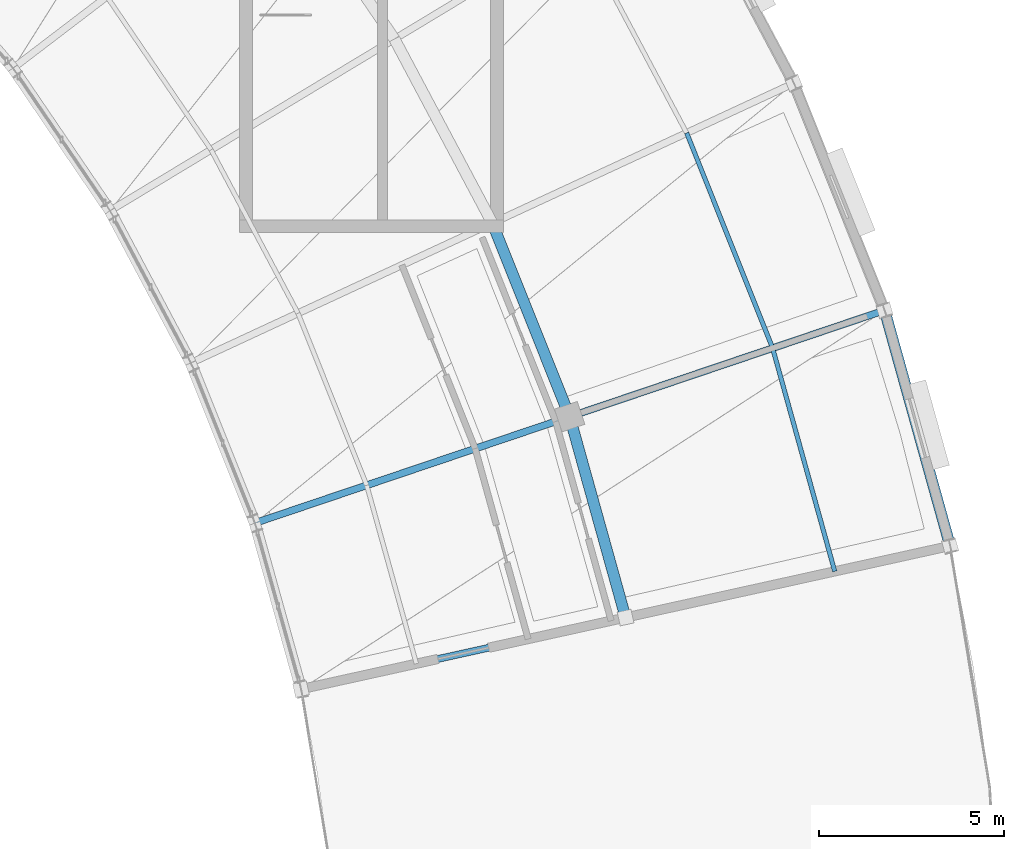
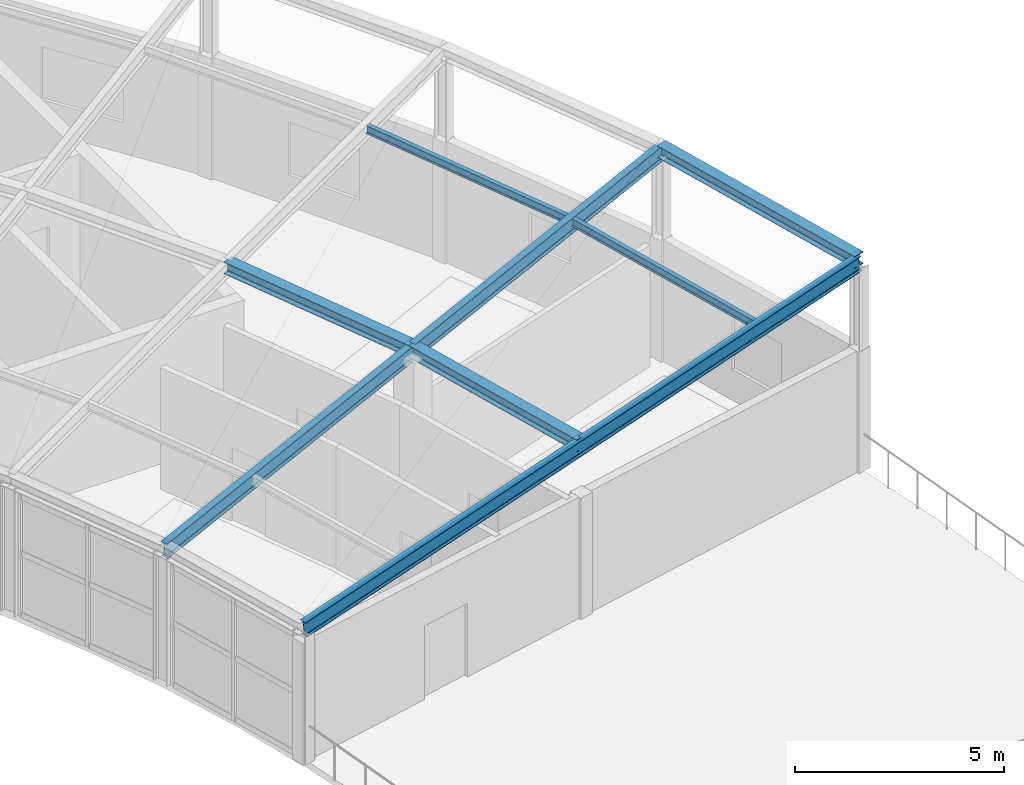
# One storey, part 13 of 36: 5 beams, 2 members.
"""IFC4 building model written with IfcOpenShell, lengths in metres."""

from ifc_helpers import new_model, si_unit, direction, frame, origin, origin_2d, place, context, subcontext, project, spatial, i_section, extrude, material, material_profile, profile_set, type_object, element, save


model = new_model("IFC4")

# Units and contexts
model_context = context("Model", 3, precision=1e-05, world=origin(), true_north=direction((0.0, 1.0)))
body_context = subcontext(model_context, "Body", "Model", "MODEL_VIEW")
ifc_project = project(units=[si_unit("LENGTHUNIT", "METRE"), si_unit("AREAUNIT", "SQUARE_METRE"), si_unit("VOLUMEUNIT", "CUBIC_METRE"), si_unit("PLANEANGLEUNIT", "RADIAN"), si_unit("MASSUNIT", "GRAM", prefix="KILO")], contexts=[model_context])

# Site, building, storey
site_placement = place(None, origin())
site = spatial("IfcSite", under=ifc_project, at=site_placement, CompositionType="ELEMENT")
building_placement = place(site_placement, origin())
building = spatial("IfcBuilding", under=site, at=building_placement, Name="Tarnveldt Headland Concert Hall", CompositionType="ELEMENT")
storey_placement = place(building_placement, frame((0.0, 0.0, 22.800048828125)))
storey = spatial("IfcBuildingStorey", under=building, at=storey_placement, Name="L05", CompositionType="ELEMENT", Elevation=22.800048828125)

# Members
ifc_material = material(Name="Steel S355", Category="steel")
ifc_material_profile_1 = material_profile(ifc_material, i_section(OverallWidth=0.1201171875, OverallDepth=0.239990234375, WebThickness=0.006103515625, FlangeThickness=0.009765625, FilletRadius=0.014892578125, at=origin_2d()), Name="IPE240", Category="steel")
ifc_profile_set_1 = profile_set([ifc_material_profile_1], Name="Steel S355")
member_type = type_object("IfcMemberType", Name="PR-IPE240", PredefinedType="PURLIN", material=ifc_profile_set_1)
member_1_placement = place(storey_placement, frame((173.94189453125, 72.45556640625, 5.625732421875), z_axis=(-0.268161647972, 0.963373930806, 0.0), x_axis=(-0.963373930806, -0.268161647972, 0.0)))
element("IfcMember", 1, at=member_1_placement, inside=storey, type_object=member_type, Name="Crescent roof purlin 11-57", PredefinedType="PURLIN", context=body_context, shape_type="SweptSolid", body=[
    extrude(i_section(OverallWidth=0.1201171875, OverallDepth=0.239990234375, WebThickness=0.006103515625, FlangeThickness=0.009765625, FilletRadius=0.014892578125, at=origin_2d()), origin(), (0.0, 0.0, 1.0), 6.273681640625),
])
member_2_placement = place(storey_placement, frame((172.259521484375, 78.49951171875, 5.625732421875), z_axis=(-0.371001508527, 0.928632263423, 0.0), x_axis=(-0.928632263423, -0.371001508527, 0.0)))
element("IfcMember", 2, at=member_2_placement, inside=storey, type_object=member_type, Name="Crescent roof purlin 12-57", PredefinedType="PURLIN", context=body_context, shape_type="SweptSolid", body=[
    extrude(i_section(OverallWidth=0.1201171875, OverallDepth=0.239990234375, WebThickness=0.006103515625, FlangeThickness=0.009765625, FilletRadius=0.014892578125, at=origin_2d()), origin(), (0.0, 0.0, 1.0), 6.27392578125),
])

# Beams
ifc_material_profile_2 = material_profile(ifc_material, i_section(OverallWidth=0.300048828125, OverallDepth=0.35009765625, WebThickness=0.010009765625, FlangeThickness=0.017578125, FilletRadius=0.027099609375, at=origin_2d()), Name="HEA360", Category="steel")
ifc_profile_set_2 = profile_set([ifc_material_profile_2], Name="Steel S355")
beam_type_1 = type_object("IfcBeamType", Name="SB-HEA360", PredefinedType="SPANDREL", material=ifc_profile_set_2)
beam_1_placement = place(storey_placement, frame((168.2783203125, 71.20556640625, 4.954833984375), z_axis=(-0.268168064355, 0.963372144739, 0.0), x_axis=(-0.963372144739, -0.268168064355, 0.0)))
element("IfcBeam", 3, at=beam_1_placement, inside=storey, type_object=beam_type_1, Name="Crescent L05 MD eaves girder 11", PredefinedType="SPANDREL", context=body_context, shape_type="SweptSolid", body=[
    extrude(i_section(OverallWidth=0.300048828125, OverallDepth=0.35009765625, WebThickness=0.010009765625, FlangeThickness=0.017578125, FilletRadius=0.027099609375, at=origin_2d()), origin(), (0.0, 0.0, 1.0), 5.64453125),
])
beam_2_placement = place(storey_placement, frame((177.06689453125, 73.14501953125, 6.054931640625), z_axis=(-0.268174408275, 0.963370378798, 0.0), x_axis=(-0.963370378798, -0.268174408275, 0.0)))
element("IfcBeam", 4, at=beam_2_placement, inside=storey, type_object=beam_type_1, Name="Crescent L05 OUT eaves girder 11", PredefinedType="SPANDREL", context=body_context, shape_type="SweptSolid", body=[
    extrude(i_section(OverallWidth=0.300048828125, OverallDepth=0.35009765625, WebThickness=0.010009765625, FlangeThickness=0.017578125, FilletRadius=0.027099609375, at=origin_2d()), origin(), (0.0, 0.0, 1.0), 6.62109375),
])
beam_3_placement = place(storey_placement, frame((166.7646484375, 76.643310546875, 4.954833984375), z_axis=(-0.371032684737, 0.928619807487, 0.0), x_axis=(-0.928619807487, -0.371032684737, 0.0)))
element("IfcBeam", 5, at=beam_3_placement, inside=storey, type_object=beam_type_1, Name="Crescent L05 MD eaves girder 12", PredefinedType="SPANDREL", context=body_context, shape_type="SweptSolid", body=[
    extrude(i_section(OverallWidth=0.300048828125, OverallDepth=0.35009765625, WebThickness=0.010009765625, FlangeThickness=0.017578125, FilletRadius=0.027099609375, at=origin_2d()), origin(), (0.0, 0.0, 1.0), 5.644287109375),
])
ifc_material_profile_3 = material_profile(ifc_material, i_section(OverallWidth=0.18994140625, OverallDepth=0.449951171875, WebThickness=0.009521484375, FlangeThickness=0.0146484375, FilletRadius=0.02099609375, at=origin_2d()), Name="IPE450", Category="steel")
ifc_profile_set_3 = profile_set([ifc_material_profile_3], Name="Steel S355")
beam_type_2 = type_object("IfcBeamType", Name="SB-IPE450", PredefinedType="BEAM", material=ifc_profile_set_3)
for number, where, z_axis, x_axis, name in (
    (6, (159.48974609375, 69.26611328125, 3.804931640625), (0.969292565128, 0.213902442841, 0.121316396805), (-0.215494106313, 0.976505140869, 0.0), "Crescent sloped roof rafter 11"),
    (7, (158.238037109375, 73.7626953125, 3.804931640625), (0.940401649601, 0.317690160711, 0.121316524904), (-0.32005412111, 0.947399260903, 0.0), "Crescent sloped roof rafter 12"),
):
    element("IfcBeam", number, at=place(storey_placement, frame(where, z_axis=z_axis, x_axis=x_axis)), inside=storey, type_object=beam_type_2, Name=name, PredefinedType="BEAM", context=body_context, shape_type="SweptSolid", body=[
        extrude(i_section(OverallWidth=0.18994140625, OverallDepth=0.449951171875, WebThickness=0.009521484375, FlangeThickness=0.0146484375, FilletRadius=0.02099609375, at=origin_2d()), origin(), (0.0, 0.0, 1.0), 18.134033203125),
    ])

save(model, "model.ifc")
